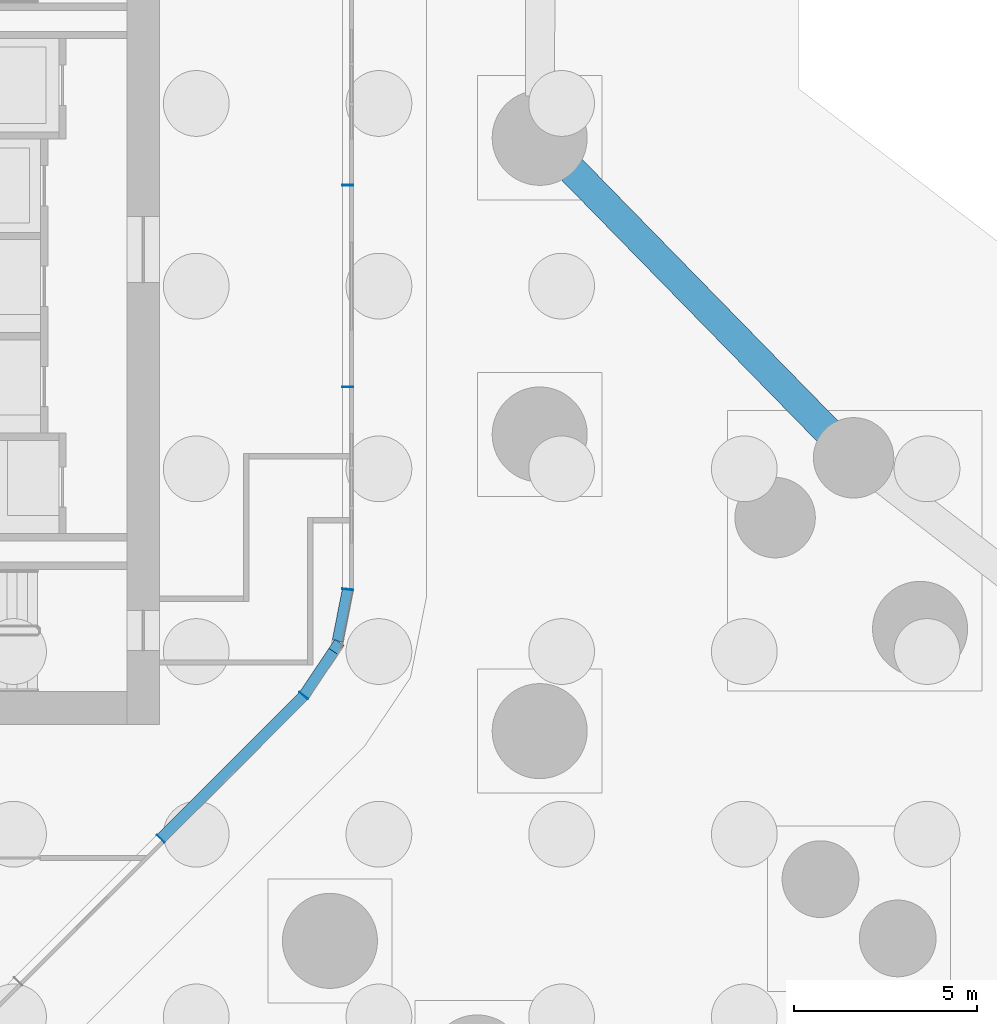
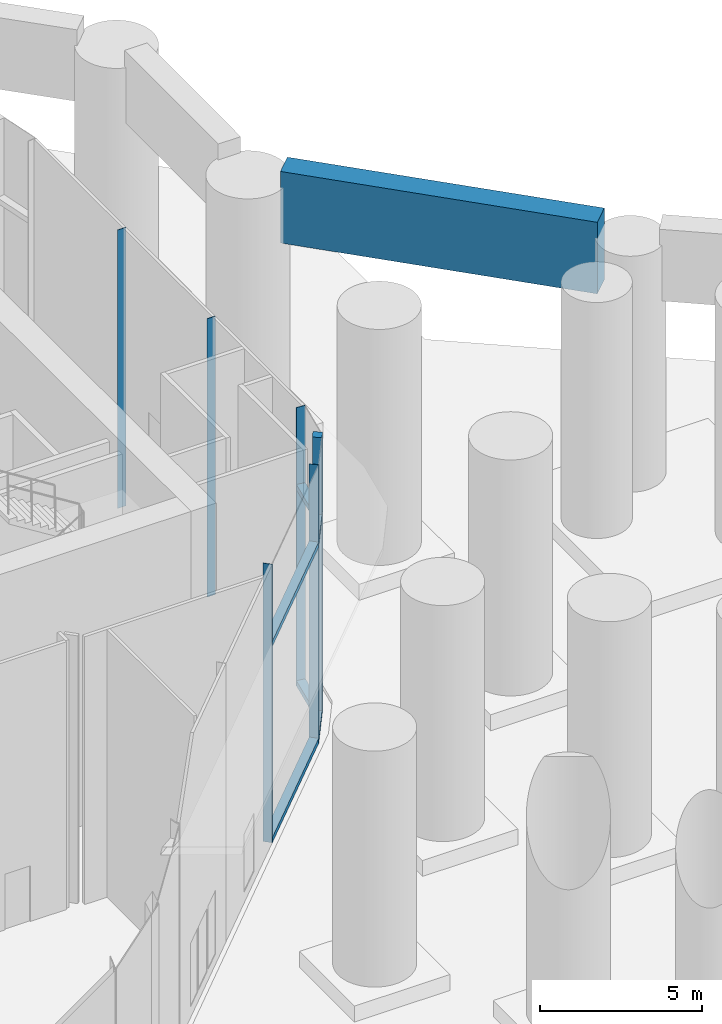
# One storey, part 14 of 31: 12 members, 1 beam, 4 elements without a shape of their own.
"""IFC4 building model written with IfcOpenShell, lengths in metres."""

from ifc_helpers import new_model, si_unit, direction, frame, origin, origin_2d, place, context, subcontext, project, spatial, rectangle, extrude, material, material_profile, profile_set, type_object, element, aggregate, save


model = new_model("IFC4")

# Units and contexts
model_context = context("Model", 3, precision=1e-05, world=origin(), true_north=direction((0.0, 1.0)))
body_context = subcontext(model_context, "Body", "Model", "MODEL_VIEW")
ifc_project = project(units=[si_unit("LENGTHUNIT", "METRE"), si_unit("AREAUNIT", "SQUARE_METRE"), si_unit("VOLUMEUNIT", "CUBIC_METRE"), si_unit("PLANEANGLEUNIT", "RADIAN"), si_unit("MASSUNIT", "GRAM", prefix="KILO")], contexts=[model_context])

# Site, building, storey
site_placement = place(None, origin())
site = spatial("IfcSite", under=ifc_project, at=site_placement, CompositionType="ELEMENT")
building_placement = place(site_placement, origin())
building = spatial("IfcBuilding", under=site, at=building_placement, Name="Orlundy Tower", CompositionType="ELEMENT")
storey_placement = place(building_placement, origin())
storey = spatial("IfcBuildingStorey", under=building, at=storey_placement, Name="L00", CompositionType="ELEMENT", Elevation=0.0)

# Curtain wall, member
ifc_material_1 = material(Name="Aluminium bronze anodised", Category="aluminium")
curtain_wall_type = type_object("IfcCurtainWallType", Name="CW3 wall", PredefinedType="NOTDEFINED", material=ifc_material_1)
curtain_wall_1_placement = place(storey_placement, origin())
curtain_wall_1 = element("IfcCurtainWall", 1, at=curtain_wall_1_placement, inside=storey, type_object=curtain_wall_type, Name="CW3 run 019", PredefinedType="NOTDEFINED")
ifc_material_2 = material(Name="Aluminium bronze anodised", Category="aluminium")
ifc_material_profile_1 = material_profile(ifc_material_2, rectangle(XDim=0.300048828125, YDim=0.300048828125, at=origin_2d()), Name="CW3 corner post 300x300")
ifc_profile_set_1 = profile_set([ifc_material_profile_1], Name="Aluminium bronze anodised")
member_type_1 = type_object("IfcMemberType", Name="CW3 corner post 300x300", PredefinedType="MULLION", material=ifc_profile_set_1)
member_1_placement = place(storey_placement, frame((23.83740234375, -9.87353515625, -0.39990234375), z_axis=(0.0, 0.0, 1.0), x_axis=(0.831063198802, -0.556177992729, 0.0)))
member_1 = element("IfcMember", 2, at=member_1_placement, type_object=member_type_1, Name="CW3 mullion 32", PredefinedType="MULLION", context=body_context, shape_type="SweptSolid", body=[
    extrude(rectangle(XDim=0.300048828125, YDim=0.300048828125, at=origin_2d()), origin(), (0.0, 0.0, 1.0), 10.5),
])

# Curtain wall, members
curtain_wall_2_placement = place(storey_placement, origin())
curtain_wall_2 = element("IfcCurtainWall", 3, at=curtain_wall_2_placement, inside=storey, type_object=curtain_wall_type, Name="CW3 run 017", PredefinedType="NOTDEFINED")
ifc_material_3 = material(Name="Toughened glass", Category="glass")
ifc_material_profile_2 = material_profile(ifc_material_3, rectangle(XDim=0.300048828125, YDim=0.01904296875, at=origin_2d()), Name="CW3 glass fin 19x300")
ifc_profile_set_2 = profile_set([ifc_material_profile_2], Name="Toughened glass")
member_type_2 = type_object("IfcMemberType", Name="CW3 glass fin 19x300", PredefinedType="MULLION", material=ifc_profile_set_2)
member_2_placement = place(storey_placement, frame((24.14990234375, 2.76123046875, -0.39990234375), z_axis=(0.0, 0.0, 1.0), x_axis=(1.0, 0.0, 0.0)))
member_2 = element("IfcMember", 4, at=member_2_placement, type_object=member_type_2, Name="CW3 mullion 29", PredefinedType="MULLION", context=body_context, shape_type="SweptSolid", body=[
    extrude(rectangle(XDim=0.300048828125, YDim=0.01904296875, at=origin_2d()), origin(), (0.0, 0.0, 1.0), 10.5),
])
member_3_placement = place(storey_placement, frame((24.14990234375, -2.76123046875, -0.39990234375), z_axis=(0.0, 0.0, 1.0), x_axis=(1.0, 0.0, 0.0)))
member_3 = element("IfcMember", 5, at=member_3_placement, type_object=member_type_2, Name="CW3 mullion 30", PredefinedType="MULLION", context=body_context, shape_type="SweptSolid", body=[
    extrude(rectangle(XDim=0.300048828125, YDim=0.01904296875, at=origin_2d()), origin(), (0.0, 0.0, 1.0), 10.5),
])
aggregate(curtain_wall_2, [member_2, member_3])

# Curtain wall, member
curtain_wall_3_placement = place(storey_placement, origin())
curtain_wall_3 = element("IfcCurtainWall", 6, at=curtain_wall_3_placement, inside=storey, type_object=curtain_wall_type, Name="CW3 run 018", PredefinedType="NOTDEFINED")
member_4_placement = place(storey_placement, frame((24.14990234375, -8.298828125, -0.39990234375), z_axis=(0.0, 0.0, 1.0), x_axis=(0.995201182604, -0.097849916421, 0.0)))
member_4 = element("IfcMember", 7, at=member_4_placement, type_object=member_type_2, Name="CW3 mullion 31", PredefinedType="MULLION", context=body_context, shape_type="SweptSolid", body=[
    extrude(rectangle(XDim=0.300048828125, YDim=0.01904296875, at=origin_2d()), origin(), (0.0, 0.0, 1.0), 10.5),
])

# Curtain wall, members
curtain_wall_4_placement = place(storey_placement, origin())
curtain_wall_4 = element("IfcCurtainWall", 8, at=curtain_wall_4_placement, inside=storey, type_object=curtain_wall_type, Name="CW3 run 020", PredefinedType="NOTDEFINED")
member_5_placement = place(storey_placement, frame((22.944580078125, -11.207763671875, -0.39990234375), z_axis=(0.0, 0.0, 1.0), x_axis=(0.772778491315, -0.63467582541, 0.0)))
member_5 = element("IfcMember", 9, at=member_5_placement, type_object=member_type_2, Name="CW3 mullion 33", PredefinedType="MULLION", context=body_context, shape_type="SweptSolid", body=[
    extrude(rectangle(XDim=0.300048828125, YDim=0.01904296875, at=origin_2d()), origin(), (0.0, 0.0, 1.0), 10.5),
])
member_6_placement = place(storey_placement, frame((19.02880859375, -15.123291015625, -0.39990234375), z_axis=(0.0, 0.0, 1.0), x_axis=(0.707106781187, -0.707106781187, 0.0)))
member_6 = element("IfcMember", 10, at=member_6_placement, type_object=member_type_2, Name="CW3 mullion 34", PredefinedType="MULLION", context=body_context, shape_type="SweptSolid", body=[
    extrude(rectangle(XDim=0.300048828125, YDim=0.01904296875, at=origin_2d()), origin(), (0.0, 0.0, 1.0), 10.5),
])

# Member
ifc_material_4 = material(Name="Aluminium bronze anodised", Category="aluminium")
ifc_material_profile_3 = material_profile(ifc_material_4, rectangle(XDim=0.300048828125, YDim=0.199951171875, at=origin_2d()), Name="CW3 transom 300x200")
ifc_profile_set_3 = profile_set([ifc_material_profile_3], Name="Aluminium bronze anodised")
member_type_3 = type_object("IfcMemberType", Name="CW3 transom 300x200", PredefinedType="USERDEFINED", material=ifc_profile_set_3)
member_7_placement = place(storey_placement, frame((24.147216796875, -8.313232421875, -0.300048828125), z_axis=(-0.194834163873, -0.980836198653, 0.0), x_axis=(0.980836198653, -0.194834163873, 0.0)))
member_7 = element("IfcMember", 11, at=member_7_placement, type_object=member_type_3, Name="CW3 transom", ObjectType="TRANSOM", PredefinedType="USERDEFINED", context=body_context, shape_type="SweptSolid", body=[
    extrude(rectangle(XDim=0.300048828125, YDim=0.199951171875, at=origin_2d()), origin(), (0.0, 0.0, 1.0), 1.428466796875),
])

member_8_placement = place(storey_placement, frame((24.147216796875, -8.313232421875, 7.10009765625), z_axis=(-0.194834163873, -0.980836198653, 0.0), x_axis=(0.980836198653, -0.194834163873, 0.0)))
member_8 = element("IfcMember", 12, at=member_8_placement, type_object=member_type_3, Name="CW3 transom", ObjectType="TRANSOM", PredefinedType="USERDEFINED", context=body_context, shape_type="SweptSolid", body=[
    extrude(rectangle(XDim=0.300048828125, YDim=0.199951171875, at=origin_2d()), origin(), (0.0, 0.0, 1.0), 1.428466796875),
])

aggregate(curtain_wall_3, [member_4, member_7, member_8])

member_9_placement = place(storey_placement, frame((23.75390625, -9.998291015625, -0.300048828125), z_axis=(-0.556263731822, -0.831005812651, 0.0), x_axis=(0.831005812651, -0.556263731822, 0.0)))
member_9 = element("IfcMember", 13, at=member_9_placement, type_object=member_type_3, Name="CW3 transom", ObjectType="TRANSOM", PredefinedType="USERDEFINED", context=body_context, shape_type="SweptSolid", body=[
    extrude(rectangle(XDim=0.300048828125, YDim=0.199951171875, at=origin_2d()), origin(), (0.0, 0.0, 1.0), 1.4404296875),
])

member_10_placement = place(storey_placement, frame((23.75390625, -9.998291015625, 7.10009765625), z_axis=(-0.556263731822, -0.831005812651, 0.0), x_axis=(0.831005812651, -0.556263731822, 0.0)))
member_10 = element("IfcMember", 14, at=member_10_placement, type_object=member_type_3, Name="CW3 transom", ObjectType="TRANSOM", PredefinedType="USERDEFINED", context=body_context, shape_type="SweptSolid", body=[
    extrude(rectangle(XDim=0.300048828125, YDim=0.199951171875, at=origin_2d()), origin(), (0.0, 0.0, 1.0), 1.4404296875),
])

aggregate(curtain_wall_1, [member_1, member_9, member_10])

member_11_placement = place(storey_placement, frame((22.93408203125, -11.218017578125, -0.300048828125), z_axis=(-0.707106781187, -0.707106781187, 0.0), x_axis=(0.707106781187, -0.707106781187, 0.0)))
member_11 = element("IfcMember", 15, at=member_11_placement, type_object=member_type_3, Name="CW3 transom", ObjectType="TRANSOM", PredefinedType="USERDEFINED", context=body_context, shape_type="SweptSolid", body=[
    extrude(rectangle(XDim=0.300048828125, YDim=0.199951171875, at=origin_2d()), origin(), (0.0, 0.0, 1.0), 5.513671875),
])

member_12_placement = place(storey_placement, frame((22.93408203125, -11.218017578125, 7.10009765625), z_axis=(-0.707106781187, -0.707106781187, 0.0), x_axis=(0.707106781187, -0.707106781187, 0.0)))
member_12 = element("IfcMember", 16, at=member_12_placement, type_object=member_type_3, Name="CW3 transom", ObjectType="TRANSOM", PredefinedType="USERDEFINED", context=body_context, shape_type="SweptSolid", body=[
    extrude(rectangle(XDim=0.300048828125, YDim=0.199951171875, at=origin_2d()), origin(), (0.0, 0.0, 1.0), 5.513671875),
])

aggregate(curtain_wall_4, [member_5, member_6, member_11, member_12])

# Beam
ifc_material_5 = material(Name="Concrete C80/95", Category="concrete")
ifc_material_profile_4 = material_profile(ifc_material_5, rectangle(XDim=0.800048828125, YDim=2.699951171875, at=origin_2d()), Name="RC800X2700")
ifc_profile_set_4 = profile_set([ifc_material_profile_4], Name="Concrete C80/95")
beam_type = type_object("IfcBeamType", Name="RC FASCIA BEAM RC800X2700 C80/95", PredefinedType="BEAM", material=ifc_profile_set_4)
beam_placement = place(storey_placement, frame((30.218505859375, 3.251220703125, 8.75), z_axis=(0.699114358469, -0.71500986971, 0.0), x_axis=(0.71500986971, 0.699114358469, 0.0)))
element("IfcBeam", 17, at=beam_placement, inside=storey, type_object=beam_type, Name="Fascia beam 28", PredefinedType="BEAM", context=body_context, shape_type="SweptSolid", body=[
    extrude(rectangle(XDim=0.800048828125, YDim=2.699951171875, at=origin_2d()), origin(), (0.0, 0.0, 1.0), 10.167724609375),
])

save(model, "model.ifc")
